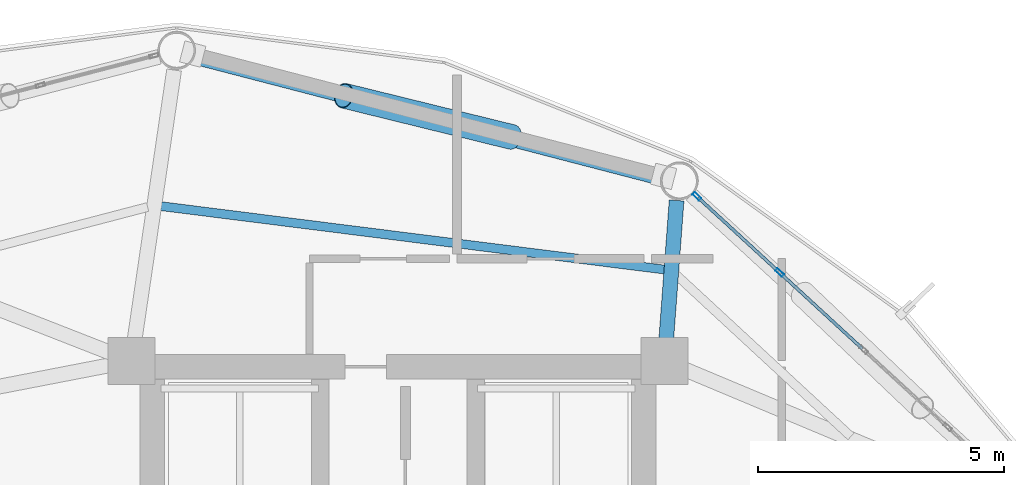
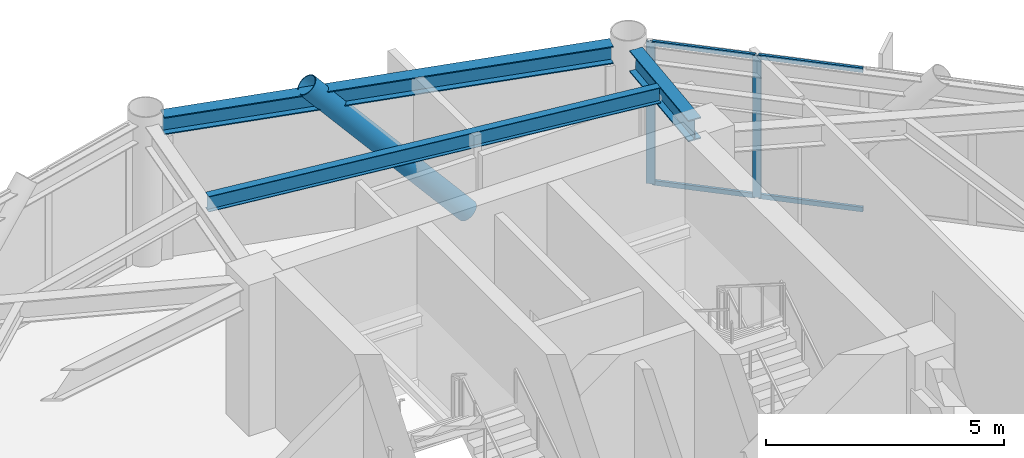
# One storey, part 18 of 24: 7 members, 3 beams, 1 element without a shape of its own.
"""IFC4 building model written with IfcOpenShell, lengths in metres."""

from ifc_helpers import new_model, si_unit, direction, frame, origin, origin_2d, place, context, subcontext, project, spatial, hollow_rectangle, hollow_circle, i_section, extrude, material, layer, layer_set, material_profile, profile_set, type_object, element, aggregate, save


model = new_model("IFC4")

# Units and contexts
model_context = context("Model", 3, precision=1e-05, world=origin(), true_north=direction((0.0, 1.0)))
body_context = subcontext(model_context, "Body", "Model", "MODEL_VIEW")
ifc_project = project(units=[si_unit("LENGTHUNIT", "METRE"), si_unit("AREAUNIT", "SQUARE_METRE"), si_unit("VOLUMEUNIT", "CUBIC_METRE"), si_unit("PLANEANGLEUNIT", "RADIAN"), si_unit("MASSUNIT", "GRAM", prefix="KILO")], contexts=[model_context])

# Site, building, storey
site_placement = place(None, origin())
site = spatial("IfcSite", under=ifc_project, at=site_placement, CompositionType="ELEMENT")
building_placement = place(site_placement, origin())
building = spatial("IfcBuilding", under=site, at=building_placement, Name="Varnakorn Sky Granary", CompositionType="ELEMENT")
storey_placement = place(building_placement, frame((0.0, 0.0, 161.699951171875)))
storey = spatial("IfcBuildingStorey", under=building, at=storey_placement, Name="L40", CompositionType="ELEMENT", Elevation=161.699951171875)

# Beams
ifc_material_1 = material(Name="Steel S355JR", Category="steel")
ifc_material_profile_1 = material_profile(ifc_material_1, i_section(OverallWidth=0.300048828125, OverallDepth=0.550048828125, WebThickness=0.014892578125, FlangeThickness=0.029052734375, at=origin_2d()), Name="HE 550 B")
ifc_profile_set_1 = profile_set([ifc_material_profile_1], Name="Steel S355JR")
beam_type_1 = type_object("IfcBeamType", Name="BM-RAD-Z3", PredefinedType="BEAM", material=ifc_profile_set_1)
beam_1_placement = place(storey_placement, frame((8.451416015625, 13.038818359375, 3.364990234375), z_axis=(0.074438974398, 0.997225570817, 0.0), x_axis=(-0.997225570817, 0.074438974398, 0.0)))
element("IfcBeam", 1, at=beam_1_placement, inside=storey, type_object=beam_type_1, Name="Radial Floor Girder RG03 L40", PredefinedType="BEAM", context=body_context, shape_type="SweptSolid", body=[
    extrude(i_section(OverallWidth=0.300048828125, OverallDepth=0.550048828125, WebThickness=0.014892578125, FlangeThickness=0.029052734375, at=origin_2d()), origin(), (0.0, 0.0, 1.0), 2.853271484375),
])
ifc_material_profile_2 = material_profile(ifc_material_1, i_section(OverallWidth=0.179931640625, OverallDepth=0.39990234375, WebThickness=0.008544921875, FlangeThickness=0.013427734375, at=origin_2d()), Name="IPE 400")
ifc_profile_set_2 = profile_set([ifc_material_profile_2], Name="Steel S355JR")
beam_type_2 = type_object("IfcBeamType", Name="BM-SEC-Z3", PredefinedType="BEAM", material=ifc_profile_set_2)
beam_2_placement = place(storey_placement, frame((8.418701171875, 14.47900390625, 3.43994140625), z_axis=(-0.992160202942, 0.124972523774, 0.0), x_axis=(-0.124972523774, -0.992160202942, 0.0)))
element("IfcBeam", 2, at=beam_2_placement, inside=storey, type_object=beam_type_2, Name="Secondary Floor Chord Beam MSB03 L40", PredefinedType="BEAM", context=body_context, shape_type="SweptSolid", body=[
    extrude(i_section(OverallWidth=0.179931640625, OverallDepth=0.39990234375, WebThickness=0.008544921875, FlangeThickness=0.013427734375, at=origin_2d()), origin(), (0.0, 0.0, 1.0), 10.316650390625),
])
ifc_material_profile_3 = material_profile(ifc_material_1, i_section(OverallWidth=0.300048828125, OverallDepth=0.449951171875, WebThickness=0.013916015625, FlangeThickness=0.02587890625, at=origin_2d()), Name="HE 450 B")
ifc_profile_set_3 = profile_set([ifc_material_profile_3], Name="Steel S355JR")
beam_type_3 = type_object("IfcBeamType", Name="BM-SPD-Z3", PredefinedType="SPANDREL", material=ifc_profile_set_3)
beam_3_placement = place(storey_placement, frame((8.3369140625, 16.34130859375, 3.4150390625), z_axis=(-0.967844713662, 0.251548425232, 0.0), x_axis=(-0.251548425232, -0.967844713662, 0.0)))
element("IfcBeam", 3, at=beam_3_placement, inside=storey, type_object=beam_type_3, Name="Perimeter Spandrel Ring Beam RB03 L40", PredefinedType="SPANDREL", context=body_context, shape_type="SweptSolid", body=[
    extrude(i_section(OverallWidth=0.300048828125, OverallDepth=0.449951171875, WebThickness=0.013916015625, FlangeThickness=0.02587890625, at=origin_2d()), origin(), (0.0, 0.0, 1.0), 9.797607421875),
])

# Curtain wall, members
ifc_material_2 = material(Name="Anodised Bronze Aluminium Alloy 6063-T6", Category="aluminium")
ifc_layer = layer(ifc_material_2, 0.179931640625, Name="Anodised Bronze Aluminium Alloy 6063-T6")
ifc_layer_set = layer_set([ifc_layer], Name="Anodised Bronze Aluminium Alloy 6063-T6")
curtain_wall_type = type_object("IfcCurtainWallType", Name="CW-FRM-2", PredefinedType="USERDEFINED", material=ifc_layer_set)
curtain_wall_placement = place(storey_placement, origin())
curtain_wall = element("IfcCurtainWall", 4, at=curtain_wall_placement, inside=storey, type_object=curtain_wall_type, Name="Unitised Curtain Wall CW4 CW-L40-B02", ObjectType="CURTAIN WALL", PredefinedType="USERDEFINED")
ifc_material_profile_4 = material_profile(ifc_material_2, hollow_rectangle(XDim=0.070068359375, YDim=0.18505859375, WallThickness=0.00390625, at=origin_2d()), Name="ALU MULL 70x185")
ifc_profile_set_4 = profile_set([ifc_material_profile_4], Name="Anodised Bronze Aluminium Alloy 6063-T6")
member_type_1 = type_object("IfcMemberType", Name="CW-FRM-2-MULL", PredefinedType="MULLION", material=ifc_profile_set_4)
member_1_placement = place(storey_placement, frame((9.074462890625, 15.967529296875, 0.0), z_axis=(0.0, 0.0, 1.0), x_axis=(0.677011277308, 0.735972642425, 0.0)))
member_1 = element("IfcMember", 5, at=member_1_placement, type_object=member_type_1, Name="CW4 mullion 1", PredefinedType="MULLION", context=body_context, shape_type="SweptSolid", body=[
    extrude(hollow_rectangle(XDim=0.070068359375, YDim=0.18505859375, WallThickness=0.00390625, at=origin_2d()), origin(), (0.0, 0.0, 1.0), 3.64013671875),
])
member_2_placement = place(storey_placement, frame((10.75732421875, 14.41943359375, 0.0), z_axis=(0.0, 0.0, 1.0), x_axis=(0.677011277308, 0.735972642425, 0.0)))
member_2 = element("IfcMember", 6, at=member_2_placement, type_object=member_type_1, Name="CW4 mullion 2", PredefinedType="MULLION", context=body_context, shape_type="SweptSolid", body=[
    extrude(hollow_rectangle(XDim=0.070068359375, YDim=0.18505859375, WallThickness=0.00390625, at=origin_2d()), origin(), (0.0, 0.0, 1.0), 3.64013671875),
])
ifc_material_profile_5 = material_profile(ifc_material_2, hollow_rectangle(XDim=0.06494140625, YDim=0.1201171875, WallThickness=0.00341796875, at=origin_2d()), Name="ALU TRAN 65x120")
ifc_profile_set_5 = profile_set([ifc_material_profile_5], Name="Anodised Bronze Aluminium Alloy 6063-T6")
member_type_2 = type_object("IfcMemberType", Name="CW-FRM-2-TRAN", PredefinedType="USERDEFINED", material=ifc_profile_set_5)
member_3_placement = place(storey_placement, frame((9.10009765625, 15.94384765625, 0.032470703125), z_axis=(0.736005636807, -0.676975407669, 0.0), x_axis=(0.676975407669, 0.736005636807, 0.0)))
member_3 = element("IfcMember", 7, at=member_3_placement, type_object=member_type_2, Name="CW4 transom 1.1", ObjectType="TRANSOM", PredefinedType="USERDEFINED", context=body_context, shape_type="SweptSolid", body=[
    extrude(hollow_rectangle(XDim=0.06494140625, YDim=0.1201171875, WallThickness=0.00341796875, at=origin_2d()), origin(), (0.0, 0.0, 1.0), 2.216796875),
])
member_4_placement = place(storey_placement, frame((9.10009765625, 15.94384765625, 3.607666015625), z_axis=(0.736005636807, -0.676975407669, 0.0), x_axis=(0.676975407669, 0.736005636807, 0.0)))
member_4 = element("IfcMember", 8, at=member_4_placement, type_object=member_type_2, Name="CW4 transom 1.2", ObjectType="TRANSOM", PredefinedType="USERDEFINED", context=body_context, shape_type="SweptSolid", body=[
    extrude(hollow_rectangle(XDim=0.06494140625, YDim=0.1201171875, WallThickness=0.00341796875, at=origin_2d()), origin(), (0.0, 0.0, 1.0), 2.216796875),
])
member_5_placement = place(storey_placement, frame((10.783203125, 14.395751953125, 0.032470703125), z_axis=(0.735928850951, -0.677058879521, 0.0), x_axis=(0.677058879521, 0.735928850951, 0.0)))
member_5 = element("IfcMember", 9, at=member_5_placement, type_object=member_type_2, Name="CW4 transom 2.1", ObjectType="TRANSOM", PredefinedType="USERDEFINED", context=body_context, shape_type="SweptSolid", body=[
    extrude(hollow_rectangle(XDim=0.06494140625, YDim=0.1201171875, WallThickness=0.00341796875, at=origin_2d()), origin(), (0.0, 0.0, 1.0), 2.251953125),
])
member_6_placement = place(storey_placement, frame((10.783203125, 14.395751953125, 3.607666015625), z_axis=(0.735928850951, -0.677058879521, 0.0), x_axis=(0.677058879521, 0.735928850951, 0.0)))
member_6 = element("IfcMember", 10, at=member_6_placement, type_object=member_type_2, Name="CW4 transom 2.2", ObjectType="TRANSOM", PredefinedType="USERDEFINED", context=body_context, shape_type="SweptSolid", body=[
    extrude(hollow_rectangle(XDim=0.06494140625, YDim=0.1201171875, WallThickness=0.00341796875, at=origin_2d()), origin(), (0.0, 0.0, 1.0), 2.251953125),
])
aggregate(curtain_wall, [member_1, member_2, member_3, member_4, member_5, member_6])

# Member
ifc_material_3 = material(Name="Steel S460M", Category="steel")
ifc_material_profile_6 = material_profile(ifc_material_3, hollow_circle(Radius=0.25390625, WallThickness=0.01806640625, at=origin_2d()), Name="CHS 508x18")
ifc_profile_set_6 = profile_set([ifc_material_profile_6], Name="Steel S460M")
member_type_3 = type_object("IfcMemberType", Name="MB-DIAG-T2", PredefinedType="BRACE", material=ifc_profile_set_6)
member_7_placement = place(storey_placement, frame((5.31591796875, 17.1748046875, -0.1298828125), z_axis=(-0.648893710655, 0.159489585267, 0.743975822499), x_axis=(-0.238683066588, -0.971097520192, 0.0)))
element("IfcMember", 11, at=member_7_placement, inside=storey, type_object=member_type_3, Name="Perimeter CHS Diagrid Brace DG03 L40", PredefinedType="BRACE", context=body_context, shape_type="SweptSolid", body=[
    extrude(hollow_circle(Radius=0.25390625, WallThickness=0.01806640625, at=origin_2d()), origin(), (0.0, 0.0, 1.0), 5.268798828125),
])

save(model, "model.ifc")
